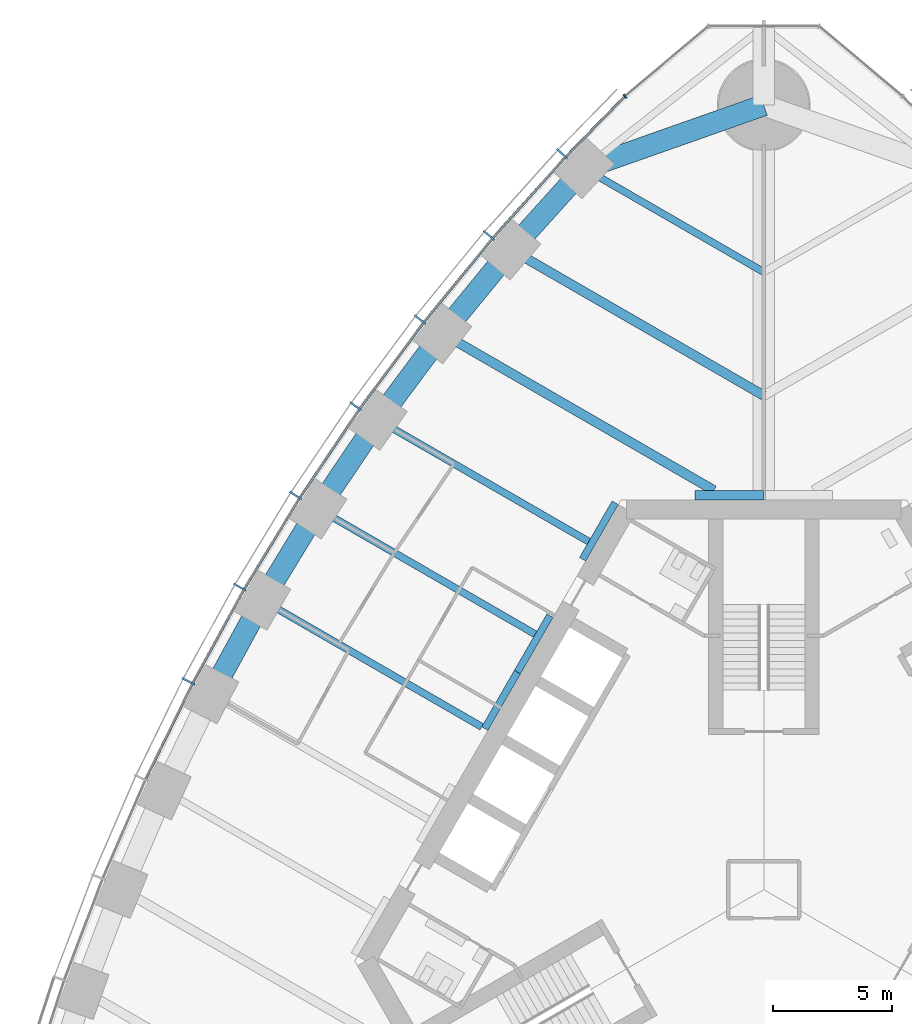
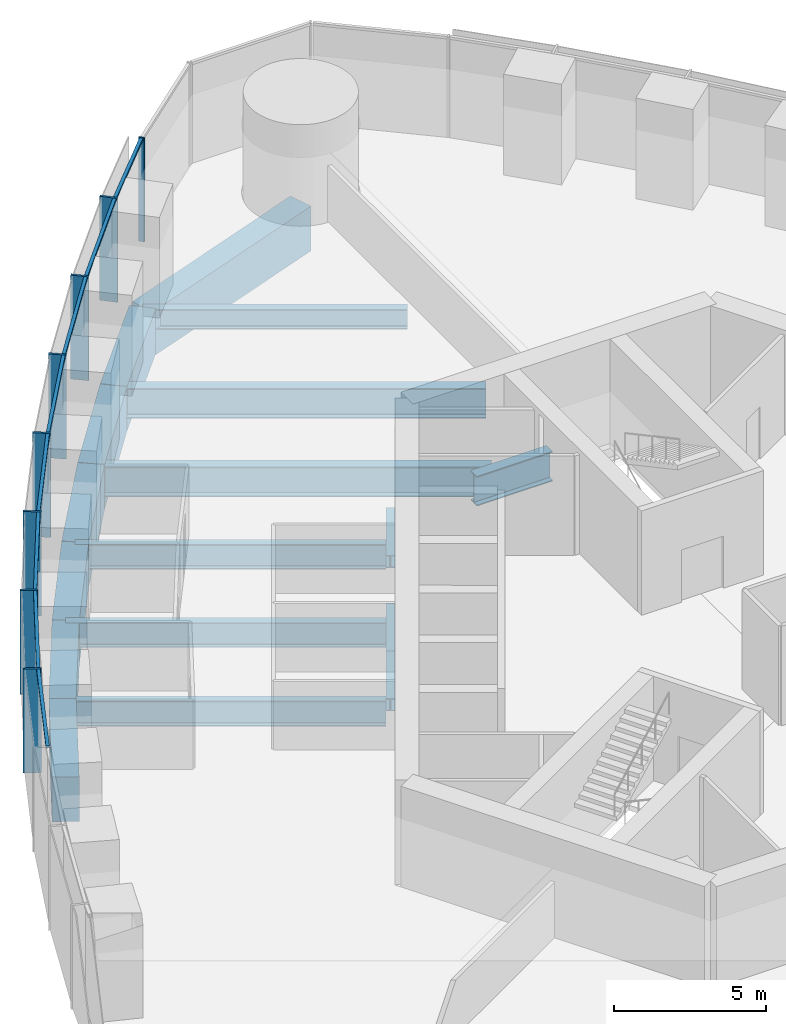
# One storey, part 5 of 18: 17 beams, 16 members, 2 elements without a shape of their own.
"""IFC4 building model written with IfcOpenShell, lengths in metres."""

from ifc_helpers import new_model, si_unit, direction, frame, origin, origin_2d, place, context, subcontext, project, spatial, rectangle, i_section, extrude, material, material_profile, profile_set, type_object, element, aggregate, save


model = new_model("IFC4")

# Units and contexts
model_context = context("Model", 3, precision=1e-05, world=origin(), true_north=direction((0.0, 1.0)))
body_context = subcontext(model_context, "Body", "Model", "MODEL_VIEW")
ifc_project = project(units=[si_unit("LENGTHUNIT", "METRE"), si_unit("AREAUNIT", "SQUARE_METRE"), si_unit("VOLUMEUNIT", "CUBIC_METRE"), si_unit("PLANEANGLEUNIT", "RADIAN"), si_unit("MASSUNIT", "GRAM", prefix="KILO")], contexts=[model_context])

# Site, building, storey
site_placement = place(None, origin())
site = spatial("IfcSite", under=ifc_project, at=site_placement, CompositionType="ELEMENT")
building_placement = place(site_placement, origin())
building = spatial("IfcBuilding", under=site, at=building_placement, Name="Trefoil Bronze Tower", CompositionType="ELEMENT")
storey_placement = place(building_placement, frame((0.0, 0.0, 202.300048828125)))
storey = spatial("IfcBuildingStorey", under=building, at=storey_placement, Name="L46", CompositionType="ELEMENT", Elevation=202.300048828125)

# Curtain wall, members
ifc_material_1 = material(Name="Tinted solar-control glass", Category="glass")
curtain_wall_type_1 = type_object("IfcCurtainWallType", Name="Bronze office curtain wall", PredefinedType="USERDEFINED", material=ifc_material_1)
curtain_wall_1_placement = place(storey_placement, origin())
curtain_wall_1 = element("IfcCurtainWall", 1, at=curtain_wall_1_placement, inside=storey, type_object=curtain_wall_type_1, Name="CW-A L46 F3", ObjectType="CURTAIN WALL", PredefinedType="USERDEFINED")
ifc_material_2 = material(Name="Bronze-finish aluminium", Category="aluminium")
ifc_material_profile_1 = material_profile(ifc_material_2, rectangle(XDim=0.60009765625, YDim=0.080078125, at=origin_2d()), Name="CW-A mullion")
ifc_profile_set_1 = profile_set([ifc_material_profile_1], Name="Bronze-finish aluminium")
member_type_1 = type_object("IfcMemberType", Name="Bronze office curtain wall mullion", PredefinedType="MULLION", material=ifc_profile_set_1)
member_1_placement = place(storey_placement, frame((-8.482177734375, 30.95654296875, 0.0), z_axis=(0.0, 0.0, 1.0), x_axis=(0.729859580661, -0.683597098091, 0.0)))
member_1 = element("IfcMember", 2, at=member_1_placement, type_object=member_type_1, Name="CW-A L46 F3 mullion 2", PredefinedType="MULLION", context=body_context, shape_type="SweptSolid", body=[
    extrude(rectangle(XDim=0.60009765625, YDim=0.080078125, at=origin_2d()), origin(), (0.0, 0.0, 1.0), 4.179931640625),
])
member_2_placement = place(storey_placement, frame((-11.564697265625, 27.525146484375, 0.0), z_axis=(0.0, 0.0, 1.0), x_axis=(0.75935470958, -0.650676897576, 0.0)))
member_2 = element("IfcMember", 3, at=member_2_placement, type_object=member_type_1, Name="CW-A L46 F3 mullion 3", PredefinedType="MULLION", context=body_context, shape_type="SweptSolid", body=[
    extrude(rectangle(XDim=0.60009765625, YDim=0.080078125, at=origin_2d()), origin(), (0.0, 0.0, 1.0), 4.179931640625),
])
member_3_placement = place(storey_placement, frame((-14.45849609375, 23.98388671875, 0.0), z_axis=(0.0, 0.0, 1.0), x_axis=(0.788821461078, -0.614622406476, 0.0)))
member_3 = element("IfcMember", 4, at=member_3_placement, type_object=member_type_1, Name="CW-A L46 F3 mullion 4", PredefinedType="MULLION", context=body_context, shape_type="SweptSolid", body=[
    extrude(rectangle(XDim=0.60009765625, YDim=0.080078125, at=origin_2d()), origin(), (0.0, 0.0, 1.0), 4.179931640625),
])
member_4_placement = place(storey_placement, frame((-17.167236328125, 20.335693359375, 0.0), z_axis=(0.0, 0.0, 1.0), x_axis=(0.81640398396, -0.577481198806, 0.0)))
member_4 = element("IfcMember", 5, at=member_4_placement, type_object=member_type_1, Name="CW-A L46 F3 mullion 5", PredefinedType="MULLION", context=body_context, shape_type="SweptSolid", body=[
    extrude(rectangle(XDim=0.60009765625, YDim=0.080078125, at=origin_2d()), origin(), (0.0, 0.0, 1.0), 4.179931640625),
])
member_5_placement = place(storey_placement, frame((-19.694091796875, 16.58251953125, 0.0), z_axis=(0.0, 0.0, 1.0), x_axis=(0.842132664593, -0.539270410114, 0.0)))
member_5 = element("IfcMember", 6, at=member_5_placement, type_object=member_type_1, Name="CW-A L46 F3 mullion 6", PredefinedType="MULLION", context=body_context, shape_type="SweptSolid", body=[
    extrude(rectangle(XDim=0.60009765625, YDim=0.080078125, at=origin_2d()), origin(), (0.0, 0.0, 1.0), 4.179931640625),
])
member_6_placement = place(storey_placement, frame((-22.041015625, 12.725341796875, 0.0), z_axis=(0.0, 0.0, 1.0), x_axis=(0.866025403784, -0.5, 0.0)))
member_6 = element("IfcMember", 7, at=member_6_placement, type_object=member_type_1, Name="CW-A L46 F3 mullion 7", PredefinedType="MULLION", context=body_context, shape_type="SweptSolid", body=[
    extrude(rectangle(XDim=0.60009765625, YDim=0.080078125, at=origin_2d()), origin(), (0.0, 0.0, 1.0), 4.179931640625),
])
member_7_placement = place(storey_placement, frame((-24.2080078125, 8.764404296875, 0.0), z_axis=(0.0, 0.0, 1.0), x_axis=(0.888088206965, -0.459673075837, 0.0)))
member_7 = element("IfcMember", 8, at=member_7_placement, type_object=member_type_1, Name="CW-A L46 F3 mullion 8", PredefinedType="MULLION", context=body_context, shape_type="SweptSolid", body=[
    extrude(rectangle(XDim=0.60009765625, YDim=0.080078125, at=origin_2d()), origin(), (0.0, 0.0, 1.0), 4.179931640625),
])
ifc_material_3 = material(Name="Bronze-finish aluminium", Category="aluminium")
ifc_material_profile_2 = material_profile(ifc_material_3, rectangle(XDim=0.1201171875, YDim=0.10009765625, at=origin_2d()), Name="CW-A transom")
ifc_profile_set_2 = profile_set([ifc_material_profile_2], Name="Bronze-finish aluminium")
member_type_2 = type_object("IfcMemberType", Name="Bronze office curtain wall transom", PredefinedType="USERDEFINED", material=ifc_profile_set_2)
member_8_placement = place(storey_placement, frame((-5.873046875, 33.342529296875, 4.1298828125), z_axis=(-0.698646935368, -0.715466602785, 0.0), x_axis=(0.715466602785, -0.698646935368, 0.0)))
member_8 = element("IfcMember", 9, at=member_8_placement, type_object=member_type_2, Name="CW-A L46 F3 transom 1", ObjectType="TRANSOM", PredefinedType="USERDEFINED", context=body_context, shape_type="SweptSolid", body=[
    extrude(rectangle(XDim=0.1201171875, YDim=0.10009765625, at=origin_2d()), origin(), (0.0, 0.0, 1.0), 3.483642578125),
])
member_9_placement = place(storey_placement, frame((-8.364501953125, 30.78857421875, 4.1298828125), z_axis=(-0.66825109551, -0.743935799213, 0.0), x_axis=(0.743935799213, -0.66825109551, 0.0)))
member_9 = element("IfcMember", 10, at=member_9_placement, type_object=member_type_2, Name="CW-A L46 F3 transom 2", ObjectType="TRANSOM", PredefinedType="USERDEFINED", context=body_context, shape_type="SweptSolid", body=[
    extrude(rectangle(XDim=0.1201171875, YDim=0.10009765625, at=origin_2d()), origin(), (0.0, 0.0, 1.0), 4.519287109375),
])
member_10_placement = place(storey_placement, frame((-11.439453125, 27.3623046875, 4.1298828125), z_axis=(-0.632756871921, -0.774350528531, 0.0), x_axis=(0.774350528531, -0.632756871921, 0.0)))
member_10 = element("IfcMember", 11, at=member_10_placement, type_object=member_type_2, Name="CW-A L46 F3 transom 3", ObjectType="TRANSOM", PredefinedType="USERDEFINED", context=body_context, shape_type="SweptSolid", body=[
    extrude(rectangle(XDim=0.1201171875, YDim=0.10009765625, at=origin_2d()), origin(), (0.0, 0.0, 1.0), 4.4794921875),
])
member_11_placement = place(storey_placement, frame((-14.325927734375, 23.826904296875, 4.1298828125), z_axis=(-0.59614822717, -0.802874393191, 0.0), x_axis=(0.802874393191, -0.59614822717, 0.0)))
member_11 = element("IfcMember", 12, at=member_11_placement, type_object=member_type_2, Name="CW-A L46 F3 transom 4", ObjectType="TRANSOM", PredefinedType="USERDEFINED", context=body_context, shape_type="SweptSolid", body=[
    extrude(rectangle(XDim=0.1201171875, YDim=0.10009765625, at=origin_2d()), origin(), (0.0, 0.0, 1.0), 4.449951171875),
])
member_12_placement = place(storey_placement, frame((-17.027587890625, 20.18505859375, 4.1298828125), z_axis=(-0.558509087547, -0.829498402125, 0.0), x_axis=(0.829498402125, -0.558509087547, 0.0)))
member_12 = element("IfcMember", 13, at=member_12_placement, type_object=member_type_2, Name="CW-A L46 F3 transom 5", ObjectType="TRANSOM", PredefinedType="USERDEFINED", context=body_context, shape_type="SweptSolid", body=[
    extrude(rectangle(XDim=0.1201171875, YDim=0.10009765625, at=origin_2d()), origin(), (0.0, 0.0, 1.0), 4.4306640625),
])
member_13_placement = place(storey_placement, frame((-19.5478515625, 16.4384765625, 4.1298828125), z_axis=(-0.519740214649, -0.854324358354, 0.0), x_axis=(0.854324358354, -0.519740214649, 0.0)))
member_13 = element("IfcMember", 14, at=member_13_placement, type_object=member_type_2, Name="CW-A L46 F3 transom 6", ObjectType="TRANSOM", PredefinedType="USERDEFINED", context=body_context, shape_type="SweptSolid", body=[
    extrude(rectangle(XDim=0.1201171875, YDim=0.10009765625, at=origin_2d()), origin(), (0.0, 0.0, 1.0), 4.421142578125),
])
member_14_placement = place(storey_placement, frame((-21.887939453125, 12.588134765625, 4.1298828125), z_axis=(-0.479973729071, -0.877282861683, 0.0), x_axis=(0.877282861683, -0.479973729071, 0.0)))
member_14 = element("IfcMember", 15, at=member_14_placement, type_object=member_type_2, Name="CW-A L46 F3 transom 7", ObjectType="TRANSOM", PredefinedType="USERDEFINED", context=body_context, shape_type="SweptSolid", body=[
    extrude(rectangle(XDim=0.1201171875, YDim=0.10009765625, at=origin_2d()), origin(), (0.0, 0.0, 1.0), 4.421142578125),
])
member_15_placement = place(storey_placement, frame((-24.048828125, 8.634521484375, 4.1298828125), z_axis=(-0.439150835991, -0.898413347657, 0.0), x_axis=(0.898413347657, -0.439150835991, 0.0)))
member_15 = element("IfcMember", 16, at=member_15_placement, type_object=member_type_2, Name="CW-A L46 F3 transom 8", ObjectType="TRANSOM", PredefinedType="USERDEFINED", context=body_context, shape_type="SweptSolid", body=[
    extrude(rectangle(XDim=0.1201171875, YDim=0.10009765625, at=origin_2d()), origin(), (0.0, 0.0, 1.0), 4.430908203125),
])
aggregate(curtain_wall_1, [member_1, member_2, member_3, member_4, member_5, member_6, member_7, member_8, member_9, member_10, member_11, member_12, member_13, member_14, member_15])

# Curtain wall, member
ifc_material_4 = material(Name="Tinted solar-control glass", Category="glass")
curtain_wall_type_2 = type_object("IfcCurtainWallType", Name="Bronze rounded corner curtain wall", PredefinedType="USERDEFINED", material=ifc_material_4)
curtain_wall_2_placement = place(storey_placement, origin())
curtain_wall_2 = element("IfcCurtainWall", 17, at=curtain_wall_2_placement, inside=storey, type_object=curtain_wall_type_2, Name="CW-B L46 K2", ObjectType="CURTAIN WALL", PredefinedType="USERDEFINED")
ifc_material_5 = material(Name="Bronze-finish aluminium", Category="aluminium")
ifc_material_profile_3 = material_profile(ifc_material_5, rectangle(XDim=0.199951171875, YDim=0.06005859375, at=origin_2d()), Name="CW-B mullion")
ifc_profile_set_3 = profile_set([ifc_material_profile_3], Name="Bronze-finish aluminium")
member_type_3 = type_object("IfcMemberType", Name="Bronze rounded corner curtain wall mullion", PredefinedType="MULLION", material=ifc_profile_set_3)
member_16_placement = place(storey_placement, frame((-5.837890625, 33.3779296875, 0.0), z_axis=(0.0, 0.0, 1.0), x_axis=(0.642787609687, -0.766044443119, 0.0)))
member_16 = element("IfcMember", 18, at=member_16_placement, type_object=member_type_3, Name="CW-B L46 K2 mullion 4", PredefinedType="MULLION", context=body_context, shape_type="SweptSolid", body=[
    extrude(rectangle(XDim=0.199951171875, YDim=0.06005859375, at=origin_2d()), origin(), (0.0, 0.0, 1.0), 4.179931640625),
])
aggregate(curtain_wall_2, [member_16])

# Beams
ifc_material_6 = material(Name="Steel C355", Category="steel")
ifc_material_profile_4 = material_profile(ifc_material_6, i_section(OverallWidth=0.300048828125, OverallDepth=0.5, WebThickness=0.014404296875, FlangeThickness=0.028076171875, FilletRadius=0.027099609375, at=origin_2d()), Name="HEB 500")
ifc_profile_set_4 = profile_set([ifc_material_profile_4], Name="Steel C355")
beam_type_1 = type_object("IfcBeamType", Name="Core seat beam HEB 500", PredefinedType="BEAM", material=ifc_profile_set_4)
for number, where, z_axis, x_axis, name in (
    (19, (-6.249755859375, 16.27490234375, -0.449951171875), (-0.500035825175, -0.866004719122, 0.0), (0.866004719122, -0.500035825175, 0.0), "Core seat beam F3/-2 L46"),
    (20, (-8.9921875, 11.52490234375, -0.449951171875), (-0.500035825175, -0.866004719122, 0.0), (0.866004719122, -0.500035825175, 0.0), "Core seat beam F3/-1 L46"),
    (21, (-10.363525390625, 9.14990234375, -0.449951171875), (-0.499969057507, -0.866043267704, 0.0), (0.866043267704, -0.499969057507, 0.0), "Core seat beam F3/+0 L46"),
):
    element("IfcBeam", number, at=place(storey_placement, frame(where, z_axis=z_axis, x_axis=x_axis)), inside=storey, type_object=beam_type_1, Name=name, PredefinedType="BEAM", context=body_context, shape_type="SweptSolid", body=[
        extrude(i_section(OverallWidth=0.300048828125, OverallDepth=0.5, WebThickness=0.014404296875, FlangeThickness=0.028076171875, FilletRadius=0.027099609375, at=origin_2d()), origin(), (0.0, 0.0, 1.0), 2.742431640625),
    ])
ifc_material_7 = material(Name="Steel C355", Category="steel")
ifc_material_profile_5 = material_profile(ifc_material_7, i_section(OverallWidth=0.39990234375, OverallDepth=1.199951171875, WebThickness=0.02001953125, FlangeThickness=0.0400390625, FilletRadius=0.010009765625, at=origin_2d()), Name="WPG 1200")
ifc_profile_set_5 = profile_set([ifc_material_profile_5], Name="Steel C355")
beam_type_2 = type_object("IfcBeamType", Name="Core seat beam WPG 1200", PredefinedType="BEAM", material=ifc_profile_set_5)
beam_1_placement = place(storey_placement, frame((0.0, 16.60009765625, -0.800048828125), z_axis=(-1.0, 0.0, 0.0), x_axis=(0.0, -1.0, 0.0)))
element("IfcBeam", 22, at=beam_1_placement, inside=storey, type_object=beam_type_2, Name="Core seat beam F3/-3 L46", PredefinedType="BEAM", context=body_context, shape_type="SweptSolid", body=[
    extrude(i_section(OverallWidth=0.39990234375, OverallDepth=1.199951171875, WebThickness=0.02001953125, FlangeThickness=0.0400390625, FilletRadius=0.010009765625, at=origin_2d()), origin(), (0.0, 0.0, 1.0), 2.88671875),
])
ifc_material_8 = material(Name="Concrete B80", Category="concrete")
ifc_material_profile_6 = material_profile(ifc_material_8, rectangle(XDim=0.89990234375, YDim=1.800048828125, at=origin_2d()), Name="RC 900x1800")
ifc_profile_set_6 = profile_set([ifc_material_profile_6], Name="Concrete B80")
beam_type_3 = type_object("IfcBeamType", Name="End spandrel beam RC 900x1800", PredefinedType="SPANDREL", material=ifc_profile_set_6)
beam_2_placement = place(storey_placement, frame((0.0, 33.0, -1.10009765625), z_axis=(-0.943234397359, -0.332127794137, 0.0), x_axis=(0.332127794137, -0.943234397359, 0.0)))
element("IfcBeam", 23, at=beam_2_placement, inside=storey, type_object=beam_type_3, Name="Spandrel F3.1 L46", PredefinedType="SPANDREL", context=body_context, shape_type="SweptSolid", body=[
    extrude(rectangle(XDim=0.89990234375, YDim=1.800048828125, at=origin_2d()), origin(), (0.0, 0.0, 1.0), 8.006591796875),
])
ifc_material_9 = material(Name="Steel C355", Category="steel")
ifc_material_profile_7 = material_profile(ifc_material_9, i_section(OverallWidth=0.300048828125, OverallDepth=1.0, WebThickness=0.01904296875, FlangeThickness=0.035888671875, FilletRadius=0.030029296875, at=origin_2d()), Name="HEB 1000")
ifc_profile_set_7 = profile_set([ifc_material_profile_7], Name="Steel C355")
beam_type_4 = type_object("IfcBeamType", Name="Floor beam HEB 1000", PredefinedType="BEAM", material=ifc_profile_set_7)
beam_3_placement = place(storey_placement, frame((-16.2265625, 19.7607421875, -0.699951171875), z_axis=(0.866027856548, -0.499995751665, 0.0), x_axis=(0.499995751665, 0.866027856548, 0.0)))
element("IfcBeam", 24, at=beam_3_placement, inside=storey, type_object=beam_type_4, Name="Floor beam F3/-2 L46", PredefinedType="BEAM", context=body_context, shape_type="SweptSolid", body=[
    extrude(i_section(OverallWidth=0.300048828125, OverallDepth=1.0, WebThickness=0.01904296875, FlangeThickness=0.035888671875, FilletRadius=0.030029296875, at=origin_2d()), origin(), (0.0, 0.0, 1.0), 10.23291015625),
])
beam_4_placement = place(storey_placement, frame((-18.748046875, 16.020263671875, -0.699951171875), z_axis=(0.866027918957, -0.499995643569, 0.0), x_axis=(0.499995643569, 0.866027918957, 0.0)))
element("IfcBeam", 25, at=beam_4_placement, inside=storey, type_object=beam_type_4, Name="Floor beam F3/-1 L46", PredefinedType="BEAM", context=body_context, shape_type="SweptSolid", body=[
    extrude(i_section(OverallWidth=0.300048828125, OverallDepth=1.0, WebThickness=0.01904296875, FlangeThickness=0.035888671875, FilletRadius=0.030029296875, at=origin_2d()), origin(), (0.0, 0.0, 1.0), 10.54638671875),
])
ifc_material_10 = material(Name="Steel C355", Category="steel")
ifc_material_profile_8 = material_profile(ifc_material_10, i_section(OverallWidth=0.300048828125, OverallDepth=0.800048828125, WebThickness=0.017578125, FlangeThickness=0.032958984375, FilletRadius=0.030029296875, at=origin_2d()), Name="HEB 800")
ifc_profile_set_8 = profile_set([ifc_material_profile_8], Name="Steel C355")
beam_type_5 = type_object("IfcBeamType", Name="Floor beam HEB 800", PredefinedType="BEAM", material=ifc_profile_set_8)
beam_5_placement = place(storey_placement, frame((-7.552001953125, 30.3408203125, -0.60009765625), z_axis=(0.866027535932, -0.499996306993, 0.0), x_axis=(0.499996306993, 0.866027535932, 0.0)))
element("IfcBeam", 26, at=beam_5_placement, inside=storey, type_object=beam_type_5, Name="Floor beam F3/-5 L46", PredefinedType="BEAM", context=body_context, shape_type="SweptSolid", body=[
    extrude(i_section(OverallWidth=0.300048828125, OverallDepth=0.800048828125, WebThickness=0.017578125, FlangeThickness=0.032958984375, FilletRadius=0.030029296875, at=origin_2d()), origin(), (0.0, 0.0, 1.0), 8.72021484375),
])
ifc_material_11 = material(Name="Steel C355", Category="steel")
ifc_material_profile_9 = material_profile(ifc_material_11, i_section(OverallWidth=0.302001953125, OverallDepth=1.008056640625, WebThickness=0.02099609375, FlangeThickness=0.0400390625, FilletRadius=0.030029296875, at=origin_2d()), Name="HEM 1000")
ifc_profile_set_9 = profile_set([ifc_material_profile_9], Name="Steel C355")
beam_type_6 = type_object("IfcBeamType", Name="Floor beam HEM 1000", PredefinedType="BEAM", material=ifc_profile_set_9)
beam_6_placement = place(storey_placement, frame((-21.08837890625, 12.17529296875, -0.7041015625), z_axis=(0.866034044198, -0.499985034066, 0.0), x_axis=(0.499985034066, 0.866034044198, 0.0)))
element("IfcBeam", 27, at=beam_6_placement, inside=storey, type_object=beam_type_6, Name="Floor beam F3/+0 L46", PredefinedType="BEAM", context=body_context, shape_type="SweptSolid", body=[
    extrude(i_section(OverallWidth=0.302001953125, OverallDepth=1.008056640625, WebThickness=0.02099609375, FlangeThickness=0.0400390625, FilletRadius=0.030029296875, at=origin_2d()), origin(), (0.0, 0.0, 1.0), 10.650634765625),
])
ifc_material_12 = material(Name="Steel C355", Category="steel")
ifc_material_profile_10 = material_profile(ifc_material_12, i_section(OverallWidth=0.39990234375, OverallDepth=1.199951171875, WebThickness=0.02001953125, FlangeThickness=0.0400390625, FilletRadius=0.010009765625, at=origin_2d()), Name="WPG 1200")
ifc_profile_set_10 = profile_set([ifc_material_profile_10], Name="Steel C355")
beam_type_7 = type_object("IfcBeamType", Name="Floor beam WPG 1200", PredefinedType="BEAM", material=ifc_profile_set_10)
beam_7_placement = place(storey_placement, frame((-10.632080078125, 26.923095703125, -0.800048828125), z_axis=(0.866025635187, -0.499999599199, 0.0), x_axis=(0.499999599199, 0.866025635187, 0.0)))
element("IfcBeam", 28, at=beam_7_placement, inside=storey, type_object=beam_type_7, Name="Floor beam F3/-4 L46", PredefinedType="BEAM", context=body_context, shape_type="SweptSolid", body=[
    extrude(i_section(OverallWidth=0.39990234375, OverallDepth=1.199951171875, WebThickness=0.02001953125, FlangeThickness=0.0400390625, FilletRadius=0.010009765625, at=origin_2d()), origin(), (0.0, 0.0, 1.0), 12.27685546875),
])
beam_8_placement = place(storey_placement, frame((-13.522216796875, 23.3955078125, -0.800048828125), z_axis=(0.866028399451, -0.499994811317, 0.0), x_axis=(0.499994811317, 0.866028399451, 0.0)))
element("IfcBeam", 29, at=beam_8_placement, inside=storey, type_object=beam_type_7, Name="Floor beam F3/-3 L46", PredefinedType="BEAM", context=body_context, shape_type="SweptSolid", body=[
    extrude(i_section(OverallWidth=0.39990234375, OverallDepth=1.199951171875, WebThickness=0.02001953125, FlangeThickness=0.0400390625, FilletRadius=0.010009765625, at=origin_2d()), origin(), (0.0, 0.0, 1.0), 13.191162109375),
])
ifc_material_13 = material(Name="Concrete B80", Category="concrete")
ifc_material_profile_11 = material_profile(ifc_material_13, rectangle(XDim=0.89990234375, YDim=1.800048828125, at=origin_2d()), Name="RC 900x1800")
ifc_profile_set_11 = profile_set([ifc_material_profile_11], Name="Concrete B80")
beam_type_8 = type_object("IfcBeamType", Name="Spandrel beam RC 900x1800", PredefinedType="SPANDREL", material=ifc_profile_set_11)
beam_9_placement = place(storey_placement, frame((-7.552001953125, 30.3408203125, -1.10009765625), z_axis=(-0.669460045872, -0.742848064534, 0.0), x_axis=(0.742848064534, -0.669460045872, 0.0)))
element("IfcBeam", 30, at=beam_9_placement, inside=storey, type_object=beam_type_8, Name="Spandrel F3.2 L46", PredefinedType="SPANDREL", context=body_context, shape_type="SweptSolid", body=[
    extrude(rectangle(XDim=0.89990234375, YDim=1.800048828125, at=origin_2d()), origin(), (0.0, 0.0, 1.0), 4.600830078125),
])
beam_10_placement = place(storey_placement, frame((-10.632080078125, 26.923095703125, -1.10009765625), z_axis=(-0.633753657863, -0.773534938542, 0.0), x_axis=(0.773534938542, -0.633753657863, 0.0)))
element("IfcBeam", 31, at=beam_10_placement, inside=storey, type_object=beam_type_8, Name="Spandrel F3.3 L46", PredefinedType="SPANDREL", context=body_context, shape_type="SweptSolid", body=[
    extrude(rectangle(XDim=0.89990234375, YDim=1.800048828125, at=origin_2d()), origin(), (0.0, 0.0, 1.0), 4.560302734375),
])
beam_11_placement = place(storey_placement, frame((-13.522216796875, 23.3955078125, -1.10009765625), z_axis=(-0.596926078257, -0.802296240236, 0.0), x_axis=(0.802296240236, -0.596926078257, 0.0)))
element("IfcBeam", 32, at=beam_11_placement, inside=storey, type_object=beam_type_8, Name="Spandrel F3.4 L46", PredefinedType="SPANDREL", context=body_context, shape_type="SweptSolid", body=[
    extrude(rectangle(XDim=0.89990234375, YDim=1.800048828125, at=origin_2d()), origin(), (0.0, 0.0, 1.0), 4.530517578125),
])
beam_12_placement = place(storey_placement, frame((-16.2265625, 19.7607421875, -1.10009765625), z_axis=(-0.558964302753, -0.829191719838, 0.0), x_axis=(0.829191719838, -0.558964302753, 0.0)))
element("IfcBeam", 33, at=beam_12_placement, inside=storey, type_object=beam_type_8, Name="Spandrel F3.5 L46", PredefinedType="SPANDREL", context=body_context, shape_type="SweptSolid", body=[
    extrude(rectangle(XDim=0.89990234375, YDim=1.800048828125, at=origin_2d()), origin(), (0.0, 0.0, 1.0), 4.510986328125),
])
for number, where, z_axis, x_axis, name in (
    (34, (-18.748046875, 16.020263671875, -1.10009765625), (-0.519933181394, -0.854206934464, 0.0), (0.854206934464, -0.519933181394, 0.0), "Spandrel F3.6 L46"),
    (35, (-21.08837890625, 12.17529296875, -1.10009765625), (-0.479801903802, -0.87737684783, 0.0), (0.87737684783, -0.479801903802, 0.0), "Spandrel F3.7 L46"),
):
    element("IfcBeam", number, at=place(storey_placement, frame(where, z_axis=z_axis, x_axis=x_axis)), inside=storey, type_object=beam_type_8, Name=name, PredefinedType="SPANDREL", context=body_context, shape_type="SweptSolid", body=[
        extrude(rectangle(XDim=0.89990234375, YDim=1.800048828125, at=origin_2d()), origin(), (0.0, 0.0, 1.0), 4.501220703125),
    ])

save(model, "model.ifc")
